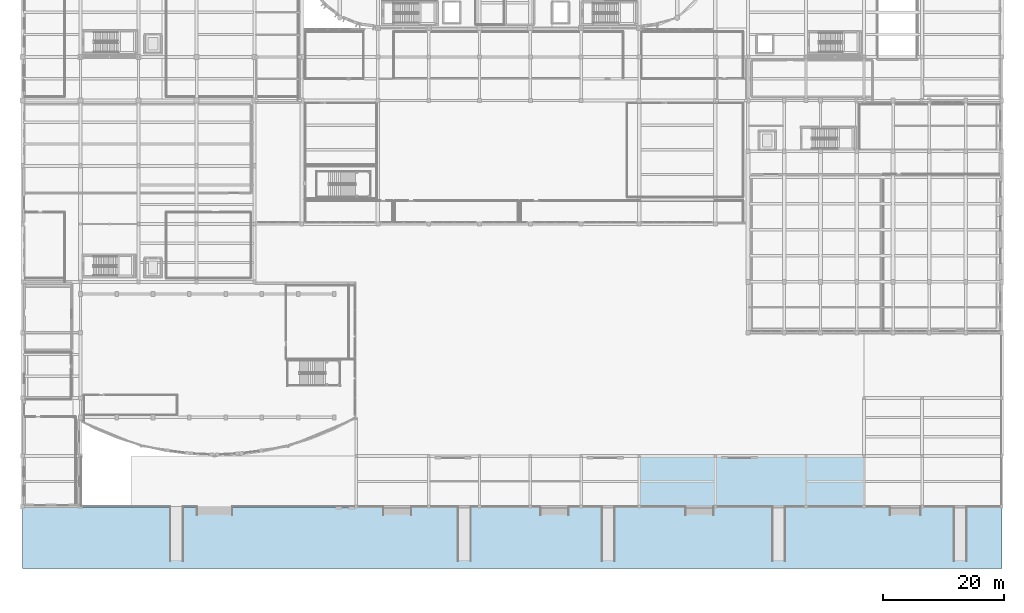
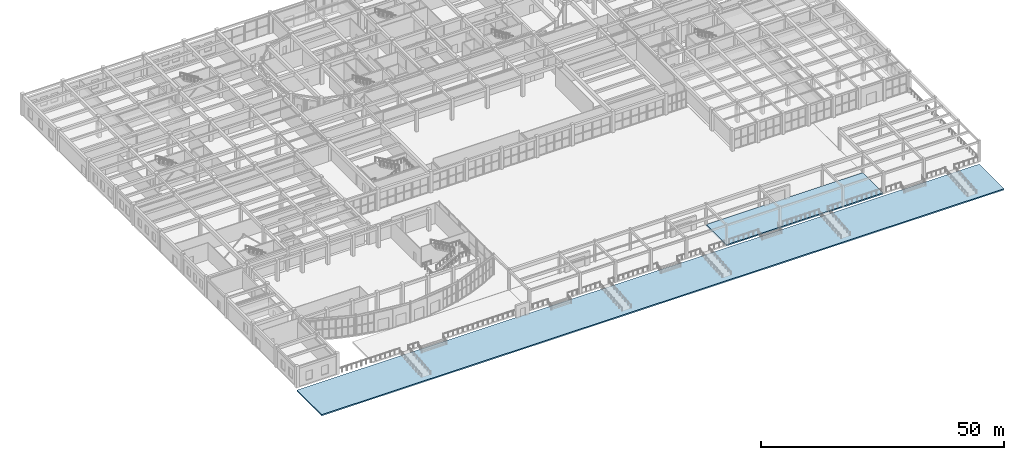
# One storey, part 60 of 98: 2 slabs.
"""IFC4 building model written with IfcOpenShell, lengths in metres."""

from ifc_helpers import new_model, si_unit, direction, frame, origin, place, context, subcontext, project, spatial, polyline, outline, extrude, material, layer, layer_set, type_object, element, save


model = new_model("IFC4")

# Units and contexts
model_context = context("Model", 3, precision=1e-05, world=origin(), true_north=direction((0.0, 1.0)))
body_context = subcontext(model_context, "Body", "Model", "MODEL_VIEW")
ifc_project = project(units=[si_unit("LENGTHUNIT", "METRE"), si_unit("AREAUNIT", "SQUARE_METRE"), si_unit("VOLUMEUNIT", "CUBIC_METRE"), si_unit("PLANEANGLEUNIT", "RADIAN"), si_unit("MASSUNIT", "GRAM", prefix="KILO")], contexts=[model_context])

# Site, building, storey
site_placement = place(None, origin())
site = spatial("IfcSite", under=ifc_project, at=site_placement, CompositionType="ELEMENT")
building_placement = place(site_placement, origin())
building = spatial("IfcBuilding", under=site, at=building_placement, Name="Tarnavel Promenade Courthouse", CompositionType="ELEMENT")
storey_placement = place(building_placement, origin())
storey = spatial("IfcBuildingStorey", under=building, at=storey_placement, Name="L01", CompositionType="ELEMENT", Elevation=0.0)

# Slabs
ifc_material = material(Name="Concrete C35/45", Category="concrete")
ifc_layer = layer(ifc_material, 0.320068359375)
ifc_layer_set = layer_set([ifc_layer], Name="Concrete C35/45")
slab_type = type_object("IfcSlabType", Name="Concrete C35/45 SLB-COL-320 (320 mm)", PredefinedType="FLOOR", material=ifc_layer_set)
slab_1_placement = place(storey_placement, frame((0.0, 0.0, -1.070068359375)))
element("IfcSlab", 1, at=slab_1_placement, inside=storey, type_object=slab_type, Name="South Promenade Granite Plinth Apron", PredefinedType="FLOOR", context=body_context, shape_type="SweptSolid", body=[
    extrude(outline(polyline([(0.0, -10.199951171875), (162.0, -10.199951171875), (162.0, 0.0), (0.0, 0.0), (0.0, -10.199951171875)])), origin(), (0.0, 0.0, 1.0), 0.320068359375),
])
slab_2_placement = place(storey_placement, frame((0.0, 0.0, -0.320068359375)))
element("IfcSlab", 2, at=slab_2_placement, inside=storey, type_object=slab_type, Name="L01 South Promenade Colonnade Walkway East", PredefinedType="FLOOR", context=body_context, shape_type="SweptSolid", body=[
    extrude(outline(polyline([(102.02001953125, 0.0), (139.179931640625, 0.0), (139.179931640625, 8.39990234375), (102.02001953125, 8.39990234375), (102.02001953125, 0.0)])), origin(), (0.0, 0.0, 1.0), 0.320068359375),
])

save(model, "model.ifc")
